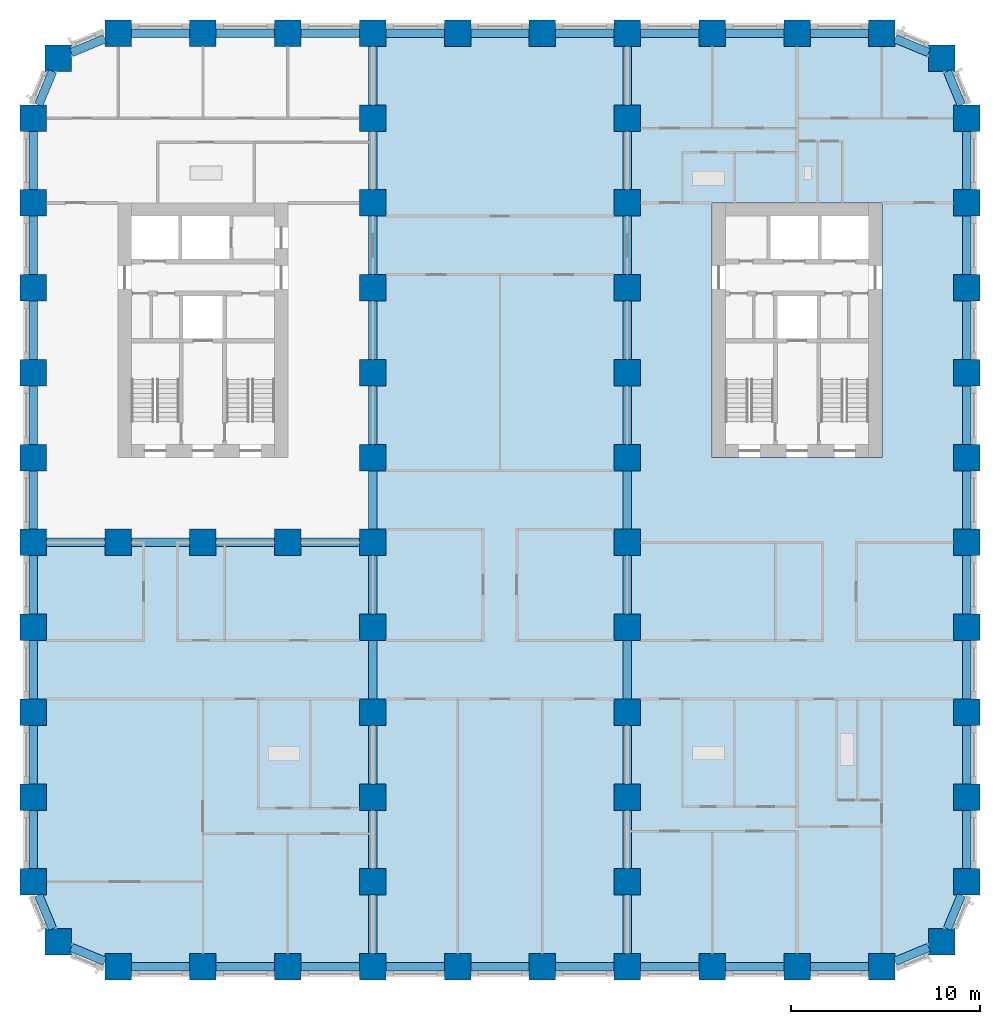
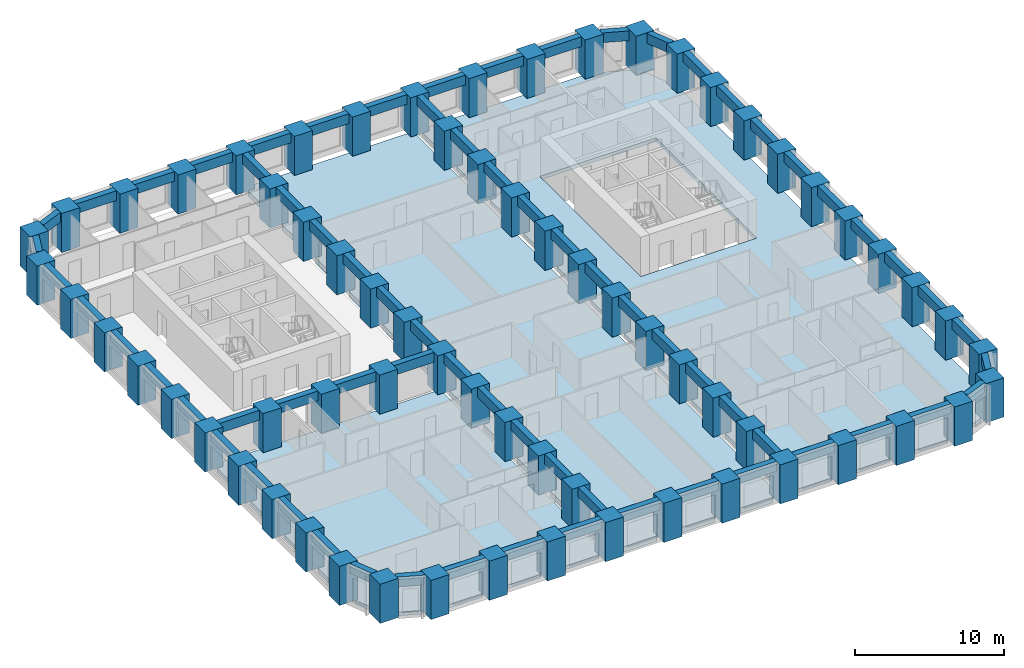
# One storey, part 1 of 12: 70 beams, 67 columns, 3 slabs.
"""IFC4 building model written with IfcOpenShell, lengths in metres."""

from ifc_helpers import new_model, si_unit, direction, frame, origin, origin_2d, place, context, subcontext, project, spatial, polyline, rectangle, outline, extrude, material, layer, layer_set, material_profile, profile_set, type_object, element, save


model = new_model("IFC4")

# Units and contexts
model_context = context("Model", 3, precision=1e-05, world=origin(), true_north=direction((0.0, 1.0)))
body_context = subcontext(model_context, "Body", "Model", "MODEL_VIEW")
ifc_project = project(units=[si_unit("LENGTHUNIT", "METRE"), si_unit("AREAUNIT", "SQUARE_METRE"), si_unit("VOLUMEUNIT", "CUBIC_METRE"), si_unit("PLANEANGLEUNIT", "RADIAN"), si_unit("MASSUNIT", "GRAM", prefix="KILO")], contexts=[model_context])

# Site, building, storey
site_placement = place(None, origin())
site = spatial("IfcSite", under=ifc_project, at=site_placement, CompositionType="ELEMENT")
building_placement = place(site_placement, origin())
building = spatial("IfcBuilding", under=site, at=building_placement, Name="Girih Gate Residences", CompositionType="ELEMENT")
storey_placement = place(building_placement, frame((0.0, 0.0, 30.39990234375)))
storey = spatial("IfcBuildingStorey", under=building, at=storey_placement, Name="L06", CompositionType="ELEMENT", Elevation=30.39990234375)

# Columns
ifc_material_1 = material(Name="Concrete C80/95", Category="concrete")
ifc_material_profile_1 = material_profile(ifc_material_1, rectangle(XDim=1.39990234375, YDim=1.39990234375, at=origin_2d()))
ifc_profile_set_1 = profile_set([ifc_material_profile_1], Name="Concrete C80/95")
column_type = type_object("IfcColumnType", Name="Pier RC 1400x1400 Concrete C80/95", PredefinedType="COLUMN", material=ifc_profile_set_1)
for number, where, z_axis, x_axis, name in (
    (1, (4.5, 0.0, 0.0), (0.0, 0.0, 1.0), (1.0, 0.0, 0.0), "Pier P2A L06"),
    (2, (9.0, 0.0, 0.0), (0.0, 0.0, 1.0), (1.0, 0.0, 0.0), "Pier P3A L06"),
    (3, (13.5, 0.0, 0.0), (0.0, 0.0, 1.0), (1.0, 0.0, 0.0), "Pier P4A L06"),
    (4, (18.0, 0.0, 0.0), (0.0, 0.0, 1.0), (1.0, 0.0, 0.0), "Pier P5A L06"),
    (5, (22.5, 0.0, 0.0), (0.0, 0.0, 1.0), (1.0, 0.0, 0.0), "Pier P6A L06"),
    (6, (27.0, 0.0, 0.0), (0.0, 0.0, 1.0), (1.0, 0.0, 0.0), "Pier P7A L06"),
    (7, (31.5, 0.0, 0.0), (0.0, 0.0, 1.0), (1.0, 0.0, 0.0), "Pier P8A L06"),
    (8, (36.0, 0.0, 0.0), (0.0, 0.0, 1.0), (1.0, 0.0, 0.0), "Pier P9A L06"),
    (9, (40.5, 0.0, 0.0), (0.0, 0.0, 1.0), (1.0, 0.0, 0.0), "Pier P10A L06"),
    (10, (45.0, 0.0, 0.0), (0.0, 0.0, 1.0), (1.0, 0.0, 0.0), "Pier P11A L06"),
    (11, (1.318115234375, 1.318115234375, 0.0), (0.0, 0.0, 1.0), (1.0, 0.0, 0.0), "Pier P1ANE L06"),
    (12, (48.181884765625, 1.318115234375, 0.0), (0.0, 0.0, 1.0), (1.0, 0.0, 0.0), "Pier P12ANW L06"),
    (13, (0.0, 4.5, 0.0), (0.0, 0.0, 1.0), (1.0, 0.0, 0.0), "Pier P1B L06"),
    (14, (18.0, 4.5, 0.0), (0.0, 0.0, 1.0), (1.0, 0.0, 0.0), "Pier P5B L06"),
    (15, (31.5, 4.5, 0.0), (0.0, 0.0, 1.0), (1.0, 0.0, 0.0), "Pier P8B L06"),
    (16, (49.5, 4.5, 0.0), (0.0, 0.0, 1.0), (1.0, 0.0, 0.0), "Pier P12B L06"),
    (17, (0.0, 9.0, 0.0), (0.0, 0.0, 1.0), (1.0, 0.0, 0.0), "Pier P1C L06"),
    (18, (18.0, 9.0, 0.0), (0.0, 0.0, 1.0), (1.0, 0.0, 0.0), "Pier P5C L06"),
    (19, (31.5, 9.0, 0.0), (0.0, 0.0, 1.0), (1.0, 0.0, 0.0), "Pier P8C L06"),
    (20, (49.5, 9.0, 0.0), (0.0, 0.0, 1.0), (1.0, 0.0, 0.0), "Pier P12C L06"),
    (21, (0.0, 13.5, 0.0), (0.0, 0.0, 1.0), (1.0, 0.0, 0.0), "Pier P1D L06"),
    (22, (18.0, 13.5, 0.0), (0.0, 0.0, 1.0), (1.0, 0.0, 0.0), "Pier P5D L06"),
    (23, (31.5, 13.5, 0.0), (0.0, 0.0, 1.0), (1.0, 0.0, 0.0), "Pier P8D L06"),
    (24, (49.5, 13.5, 0.0), (0.0, 0.0, 1.0), (1.0, 0.0, 0.0), "Pier P12D L06"),
    (25, (0.0, 18.0, 0.0), (0.0, 0.0, 1.0), (1.0, 0.0, 0.0), "Pier P1E L06"),
    (26, (18.0, 18.0, 0.0), (0.0, 0.0, 1.0), (1.0, 0.0, 0.0), "Pier P5E L06"),
    (27, (31.5, 18.0, 0.0), (0.0, 0.0, 1.0), (1.0, 0.0, 0.0), "Pier P8E L06"),
    (28, (49.5, 18.0, 0.0), (0.0, 0.0, 1.0), (1.0, 0.0, 0.0), "Pier P12E L06"),
    (29, (0.0, 22.5, 0.0), (0.0, 0.0, 1.0), (1.0, 0.0, 0.0), "Pier P1F L06"),
    (30, (4.5, 22.5, 0.0), (0.0, 0.0, 1.0), (1.0, 0.0, 0.0), "Pier P2F L06"),
    (31, (9.0, 22.5, 0.0), (0.0, 0.0, 1.0), (1.0, 0.0, 0.0), "Pier P3F L06"),
    (32, (13.5, 22.5, 0.0), (0.0, 0.0, 1.0), (1.0, 0.0, 0.0), "Pier P4F L06"),
    (33, (18.0, 22.5, 0.0), (0.0, 0.0, 1.0), (1.0, 0.0, 0.0), "Pier P5F L06"),
    (34, (31.5, 22.5, 0.0), (0.0, 0.0, 1.0), (1.0, 0.0, 0.0), "Pier P8F L06"),
    (35, (49.5, 22.5, 0.0), (0.0, 0.0, 1.0), (1.0, 0.0, 0.0), "Pier P12F L06"),
    (36, (0.0, 27.0, 0.0), (0.0, 0.0, 1.0), (1.0, 0.0, 0.0), "Pier P1G L06"),
    (37, (18.0, 27.0, 0.0), (0.0, 0.0, 1.0), (1.0, 0.0, 0.0), "Pier P5G L06"),
    (38, (31.5, 27.0, 0.0), (0.0, 0.0, 1.0), (1.0, 0.0, 0.0), "Pier P8G L06"),
    (39, (49.5, 27.0, 0.0), (0.0, 0.0, 1.0), (1.0, 0.0, 0.0), "Pier P12G L06"),
    (40, (0.0, 31.5, 0.0), (0.0, 0.0, 1.0), (1.0, 0.0, 0.0), "Pier P1H L06"),
    (41, (18.0, 31.5, 0.0), (0.0, 0.0, 1.0), (1.0, 0.0, 0.0), "Pier P5H L06"),
    (42, (31.5, 31.5, 0.0), (0.0, 0.0, 1.0), (1.0, 0.0, 0.0), "Pier P8H L06"),
    (43, (49.5, 31.5, 0.0), (0.0, 0.0, 1.0), (1.0, 0.0, 0.0), "Pier P12H L06"),
    (44, (0.0, 36.0, 0.0), (0.0, 0.0, 1.0), (1.0, 0.0, 0.0), "Pier P1I L06"),
    (45, (18.0, 36.0, 0.0), (0.0, 0.0, 1.0), (1.0, 0.0, 0.0), "Pier P5I L06"),
    (46, (31.5, 36.0, 0.0), (0.0, 0.0, 1.0), (1.0, 0.0, 0.0), "Pier P8I L06"),
    (47, (49.5, 36.0, 0.0), (0.0, 0.0, 1.0), (1.0, 0.0, 0.0), "Pier P12I L06"),
    (48, (0.0, 40.5, 0.0), (0.0, 0.0, 1.0), (1.0, 0.0, 0.0), "Pier P1J L06"),
    (49, (18.0, 40.5, 0.0), (0.0, 0.0, 1.0), (1.0, 0.0, 0.0), "Pier P5J L06"),
    (50, (31.5, 40.5, 0.0), (0.0, 0.0, 1.0), (1.0, 0.0, 0.0), "Pier P8J L06"),
    (51, (49.5, 40.5, 0.0), (0.0, 0.0, 1.0), (1.0, 0.0, 0.0), "Pier P12J L06"),
    (52, (0.0, 45.0, 0.0), (0.0, 0.0, 1.0), (1.0, 0.0, 0.0), "Pier P1K L06"),
    (53, (18.0, 45.0, 0.0), (0.0, 0.0, 1.0), (1.0, 0.0, 0.0), "Pier P5K L06"),
    (54, (31.5, 45.0, 0.0), (0.0, 0.0, 1.0), (1.0, 0.0, 0.0), "Pier P8K L06"),
    (55, (49.5, 45.0, 0.0), (0.0, 0.0, 1.0), (1.0, 0.0, 0.0), "Pier P12K L06"),
    (56, (1.318115234375, 48.181884765625, 0.0), (0.0, 0.0, 1.0), (1.0, 0.0, 0.0), "Pier P1LSE L06"),
    (57, (48.181884765625, 48.181884765625, 0.0), (0.0, 0.0, 1.0), (1.0, 0.0, 0.0), "Pier P12LSW L06"),
    (58, (4.5, 49.5, 0.0), (0.0, 0.0, 1.0), (1.0, 0.0, 0.0), "Pier P2L L06"),
    (59, (9.0, 49.5, 0.0), (0.0, 0.0, 1.0), (1.0, 0.0, 0.0), "Pier P3L L06"),
    (60, (13.5, 49.5, 0.0), (0.0, 0.0, 1.0), (1.0, 0.0, 0.0), "Pier P4L L06"),
    (61, (18.0, 49.5, 0.0), (0.0, 0.0, 1.0), (1.0, 0.0, 0.0), "Pier P5L L06"),
    (62, (22.5, 49.5, 0.0), (0.0, 0.0, 1.0), (1.0, 0.0, 0.0), "Pier P6L L06"),
    (63, (27.0, 49.5, 0.0), (0.0, 0.0, 1.0), (1.0, 0.0, 0.0), "Pier P7L L06"),
    (64, (31.5, 49.5, 0.0), (0.0, 0.0, 1.0), (1.0, 0.0, 0.0), "Pier P8L L06"),
    (65, (36.0, 49.5, 0.0), (0.0, 0.0, 1.0), (1.0, 0.0, 0.0), "Pier P9L L06"),
    (66, (40.5, 49.5, 0.0), (0.0, 0.0, 1.0), (1.0, 0.0, 0.0), "Pier P10L L06"),
    (67, (45.0, 49.5, 0.0), (0.0, 0.0, 1.0), (1.0, 0.0, 0.0), "Pier P11L L06"),
):
    element("IfcColumn", number, at=place(storey_placement, frame(where, z_axis=z_axis, x_axis=x_axis)), inside=storey, type_object=column_type, Name=name, PredefinedType="COLUMN", context=body_context, shape_type="SweptSolid", body=[
        extrude(rectangle(XDim=1.39990234375, YDim=1.39990234375, at=origin_2d()), origin(), (0.0, 0.0, 1.0), 3.2001953125),
    ])

# Beams
ifc_material_2 = material(Name="Concrete C60/75", Category="concrete")
ifc_material_profile_2 = material_profile(ifc_material_2, rectangle(XDim=0.449951171875, YDim=0.800048828125, at=origin_2d()))
ifc_profile_set_2 = profile_set([ifc_material_profile_2], Name="Concrete C60/75")
beam_type = type_object("IfcBeamType", Name="Spandrel girder RC 450x800 Concrete C60/75", PredefinedType="BEAM", material=ifc_profile_set_2)
for number, where, z_axis, x_axis, name in (
    (68, (0.2900390625, 3.800048828125, 2.800048828125), (0.382646180293, -0.923894961945, 0.0), (0.923894961945, 0.382646180293, 0.0), "Spandrel girder SP-P1B-P1ANE L06"),
    (69, (2.01806640625, 1.028076171875, 2.800048828125), (0.923894961945, -0.382646180293, 0.0), (0.382646180293, 0.923894961945, 0.0), "Spandrel girder SP-P1ANE-P2A L06"),
):
    element("IfcBeam", number, at=place(storey_placement, frame(where, z_axis=z_axis, x_axis=x_axis)), inside=storey, type_object=beam_type, Name=name, PredefinedType="BEAM", context=body_context, shape_type="SweptSolid", body=[
        extrude(rectangle(XDim=0.449951171875, YDim=0.800048828125, at=origin_2d()), origin(), (0.0, 0.0, 1.0), 1.9287109375),
    ])
for number, where, z_axis, x_axis, name in (
    (70, (5.199951171875, 0.0, 2.800048828125), (1.0, 0.0, 0.0), (0.0, 1.0, 0.0), "Spandrel girder SP-P2A-P3A L06"),
    (71, (9.699951171875, 0.0, 2.800048828125), (1.0, 0.0, 0.0), (0.0, 1.0, 0.0), "Spandrel girder SP-P3A-P4A L06"),
    (72, (14.199951171875, 0.0, 2.800048828125), (1.0, 0.0, 0.0), (0.0, 1.0, 0.0), "Spandrel girder SP-P4A-P5A L06"),
    (73, (18.699951171875, 0.0, 2.800048828125), (1.0, 0.0, 0.0), (0.0, 1.0, 0.0), "Spandrel girder SP-P5A-P6A L06"),
    (74, (23.199951171875, 0.0, 2.800048828125), (1.0, 0.0, 0.0), (0.0, 1.0, 0.0), "Spandrel girder SP-P6A-P7A L06"),
    (75, (27.699951171875, 0.0, 2.800048828125), (1.0, 0.0, 0.0), (0.0, 1.0, 0.0), "Spandrel girder SP-P7A-P8A L06"),
    (76, (32.199951171875, 0.0, 2.800048828125), (1.0, 0.0, 0.0), (0.0, 1.0, 0.0), "Spandrel girder SP-P8A-P9A L06"),
    (77, (36.699951171875, 0.0, 2.800048828125), (1.0, 0.0, 0.0), (0.0, 1.0, 0.0), "Spandrel girder SP-P9A-P10A L06"),
    (78, (41.199951171875, 0.0, 2.800048828125), (1.0, 0.0, 0.0), (0.0, 1.0, 0.0), "Spandrel girder SP-P10A-P11A L06"),
):
    element("IfcBeam", number, at=place(storey_placement, frame(where, z_axis=z_axis, x_axis=x_axis)), inside=storey, type_object=beam_type, Name=name, PredefinedType="BEAM", context=body_context, shape_type="SweptSolid", body=[
        extrude(rectangle(XDim=0.449951171875, YDim=0.800048828125, at=origin_2d()), origin(), (0.0, 0.0, 1.0), 3.10009765625),
    ])
for number, where, z_axis, x_axis, name in (
    (79, (45.699951171875, 0.2900390625, 2.800048828125), (0.923894961945, 0.382646180293, 0.0), (-0.382646180293, 0.923894961945, 0.0), "Spandrel girder SP-P11A-P12ANW L06"),
    (80, (48.471923828125, 2.01806640625, 2.800048828125), (0.382646180293, 0.923894961945, 0.0), (-0.923894961945, 0.382646180293, 0.0), "Spandrel girder SP-P12ANW-P12B L06"),
):
    element("IfcBeam", number, at=place(storey_placement, frame(where, z_axis=z_axis, x_axis=x_axis)), inside=storey, type_object=beam_type, Name=name, PredefinedType="BEAM", context=body_context, shape_type="SweptSolid", body=[
        extrude(rectangle(XDim=0.449951171875, YDim=0.800048828125, at=origin_2d()), origin(), (0.0, 0.0, 1.0), 1.9287109375),
    ])
for number, where, z_axis, x_axis, name in (
    (81, (49.5, 5.199951171875, 2.800048828125), (0.0, 1.0, 0.0), (-1.0, 0.0, 0.0), "Spandrel girder SP-P12B-P12C L06"),
    (82, (49.5, 9.699951171875, 2.800048828125), (0.0, 1.0, 0.0), (-1.0, 0.0, 0.0), "Spandrel girder SP-P12C-P12D L06"),
    (83, (49.5, 14.199951171875, 2.800048828125), (0.0, 1.0, 0.0), (-1.0, 0.0, 0.0), "Spandrel girder SP-P12D-P12E L06"),
    (84, (49.5, 18.699951171875, 2.800048828125), (0.0, 1.0, 0.0), (-1.0, 0.0, 0.0), "Spandrel girder SP-P12E-P12F L06"),
    (85, (49.5, 23.199951171875, 2.800048828125), (0.0, 1.0, 0.0), (-1.0, 0.0, 0.0), "Spandrel girder SP-P12F-P12G L06"),
    (86, (49.5, 27.699951171875, 2.800048828125), (0.0, 1.0, 0.0), (-1.0, 0.0, 0.0), "Spandrel girder SP-P12G-P12H L06"),
    (87, (49.5, 32.199951171875, 2.800048828125), (0.0, 1.0, 0.0), (-1.0, 0.0, 0.0), "Spandrel girder SP-P12H-P12I L06"),
    (88, (49.5, 36.699951171875, 2.800048828125), (0.0, 1.0, 0.0), (-1.0, 0.0, 0.0), "Spandrel girder SP-P12I-P12J L06"),
    (89, (49.5, 41.199951171875, 2.800048828125), (0.0, 1.0, 0.0), (-1.0, 0.0, 0.0), "Spandrel girder SP-P12J-P12K L06"),
):
    element("IfcBeam", number, at=place(storey_placement, frame(where, z_axis=z_axis, x_axis=x_axis)), inside=storey, type_object=beam_type, Name=name, PredefinedType="BEAM", context=body_context, shape_type="SweptSolid", body=[
        extrude(rectangle(XDim=0.449951171875, YDim=0.800048828125, at=origin_2d()), origin(), (0.0, 0.0, 1.0), 3.10009765625),
    ])
for number, where, z_axis, x_axis, name in (
    (90, (49.2099609375, 45.699951171875, 2.800048828125), (-0.382646180293, 0.923894961945, 0.0), (-0.923894961945, -0.382646180293, 0.0), "Spandrel girder SP-P12K-P12LSW L06"),
    (91, (47.48193359375, 48.471923828125, 2.800048828125), (-0.923894961945, 0.382646180293, 0.0), (-0.382646180293, -0.923894961945, 0.0), "Spandrel girder SP-P12LSW-P11L L06"),
):
    element("IfcBeam", number, at=place(storey_placement, frame(where, z_axis=z_axis, x_axis=x_axis)), inside=storey, type_object=beam_type, Name=name, PredefinedType="BEAM", context=body_context, shape_type="SweptSolid", body=[
        extrude(rectangle(XDim=0.449951171875, YDim=0.800048828125, at=origin_2d()), origin(), (0.0, 0.0, 1.0), 1.9287109375),
    ])
for number, where, z_axis, x_axis, name in (
    (92, (44.300048828125, 49.5, 2.800048828125), (-1.0, 0.0, 0.0), (0.0, -1.0, 0.0), "Spandrel girder SP-P11L-P10L L06"),
    (93, (39.800048828125, 49.5, 2.800048828125), (-1.0, 0.0, 0.0), (0.0, -1.0, 0.0), "Spandrel girder SP-P10L-P9L L06"),
    (94, (35.300048828125, 49.5, 2.800048828125), (-1.0, 0.0, 0.0), (0.0, -1.0, 0.0), "Spandrel girder SP-P9L-P8L L06"),
    (95, (30.800048828125, 49.5, 2.800048828125), (-1.0, 0.0, 0.0), (0.0, -1.0, 0.0), "Spandrel girder SP-P8L-P7L L06"),
    (96, (26.300048828125, 49.5, 2.800048828125), (-1.0, 0.0, 0.0), (0.0, -1.0, 0.0), "Spandrel girder SP-P7L-P6L L06"),
    (97, (21.800048828125, 49.5, 2.800048828125), (-1.0, 0.0, 0.0), (0.0, -1.0, 0.0), "Spandrel girder SP-P6L-P5L L06"),
    (98, (17.300048828125, 49.5, 2.800048828125), (-1.0, 0.0, 0.0), (0.0, -1.0, 0.0), "Spandrel girder SP-P5L-P4L L06"),
    (99, (12.800048828125, 49.5, 2.800048828125), (-1.0, 0.0, 0.0), (0.0, -1.0, 0.0), "Spandrel girder SP-P4L-P3L L06"),
    (100, (8.300048828125, 49.5, 2.800048828125), (-1.0, 0.0, 0.0), (0.0, -1.0, 0.0), "Spandrel girder SP-P3L-P2L L06"),
):
    element("IfcBeam", number, at=place(storey_placement, frame(where, z_axis=z_axis, x_axis=x_axis)), inside=storey, type_object=beam_type, Name=name, PredefinedType="BEAM", context=body_context, shape_type="SweptSolid", body=[
        extrude(rectangle(XDim=0.449951171875, YDim=0.800048828125, at=origin_2d()), origin(), (0.0, 0.0, 1.0), 3.10009765625),
    ])
for number, where, z_axis, x_axis, name in (
    (101, (3.800048828125, 49.2099609375, 2.800048828125), (-0.923894961945, -0.382646180293, 0.0), (0.382646180293, -0.923894961945, 0.0), "Spandrel girder SP-P2L-P1LSE L06"),
    (102, (1.028076171875, 47.48193359375, 2.800048828125), (-0.382646180293, -0.923894961945, 0.0), (0.923894961945, -0.382646180293, 0.0), "Spandrel girder SP-P1LSE-P1K L06"),
):
    element("IfcBeam", number, at=place(storey_placement, frame(where, z_axis=z_axis, x_axis=x_axis)), inside=storey, type_object=beam_type, Name=name, PredefinedType="BEAM", context=body_context, shape_type="SweptSolid", body=[
        extrude(rectangle(XDim=0.449951171875, YDim=0.800048828125, at=origin_2d()), origin(), (0.0, 0.0, 1.0), 1.9287109375),
    ])
for number, where, z_axis, x_axis, name in (
    (103, (0.0, 44.300048828125, 2.800048828125), (0.0, -1.0, 0.0), (1.0, 0.0, 0.0), "Spandrel girder SP-P1K-P1J L06"),
    (104, (0.0, 39.800048828125, 2.800048828125), (0.0, -1.0, 0.0), (1.0, 0.0, 0.0), "Spandrel girder SP-P1J-P1I L06"),
    (105, (0.0, 35.300048828125, 2.800048828125), (0.0, -1.0, 0.0), (1.0, 0.0, 0.0), "Spandrel girder SP-P1I-P1H L06"),
    (106, (0.0, 30.800048828125, 2.800048828125), (0.0, -1.0, 0.0), (1.0, 0.0, 0.0), "Spandrel girder SP-P1H-P1G L06"),
    (107, (0.0, 26.300048828125, 2.800048828125), (0.0, -1.0, 0.0), (1.0, 0.0, 0.0), "Spandrel girder SP-P1G-P1F L06"),
    (108, (0.0, 21.800048828125, 2.800048828125), (0.0, -1.0, 0.0), (1.0, 0.0, 0.0), "Spandrel girder SP-P1F-P1E L06"),
    (109, (0.0, 17.300048828125, 2.800048828125), (0.0, -1.0, 0.0), (1.0, 0.0, 0.0), "Spandrel girder SP-P1E-P1D L06"),
    (110, (0.0, 12.800048828125, 2.800048828125), (0.0, -1.0, 0.0), (1.0, 0.0, 0.0), "Spandrel girder SP-P1D-P1C L06"),
    (111, (0.0, 8.300048828125, 2.800048828125), (0.0, -1.0, 0.0), (1.0, 0.0, 0.0), "Spandrel girder SP-P1C-P1B L06"),
    (112, (18.0, 0.699951171875, 2.800048828125), (0.0, 1.0, 0.0), (-1.0, 0.0, 0.0), "Spandrel girder SP-P5A-P5B L06"),
    (113, (18.0, 5.199951171875, 2.800048828125), (0.0, 1.0, 0.0), (-1.0, 0.0, 0.0), "Spandrel girder SP-P5B-P5C L06"),
    (114, (18.0, 9.699951171875, 2.800048828125), (0.0, 1.0, 0.0), (-1.0, 0.0, 0.0), "Spandrel girder SP-P5C-P5D L06"),
    (115, (18.0, 14.199951171875, 2.800048828125), (0.0, 1.0, 0.0), (-1.0, 0.0, 0.0), "Spandrel girder SP-P5D-P5E L06"),
    (116, (18.0, 18.699951171875, 2.800048828125), (0.0, 1.0, 0.0), (-1.0, 0.0, 0.0), "Spandrel girder SP-P5E-P5F L06"),
    (117, (18.0, 23.199951171875, 2.800048828125), (0.0, 1.0, 0.0), (-1.0, 0.0, 0.0), "Spandrel girder SP-P5F-P5G L06"),
    (118, (18.0, 27.699951171875, 2.800048828125), (0.0, 1.0, 0.0), (-1.0, 0.0, 0.0), "Spandrel girder SP-P5G-P5H L06"),
    (119, (18.0, 32.199951171875, 2.800048828125), (0.0, 1.0, 0.0), (-1.0, 0.0, 0.0), "Spandrel girder SP-P5H-P5I L06"),
    (120, (18.0, 36.699951171875, 2.800048828125), (0.0, 1.0, 0.0), (-1.0, 0.0, 0.0), "Spandrel girder SP-P5I-P5J L06"),
    (121, (18.0, 41.199951171875, 2.800048828125), (0.0, 1.0, 0.0), (-1.0, 0.0, 0.0), "Spandrel girder SP-P5J-P5K L06"),
    (122, (18.0, 45.699951171875, 2.800048828125), (0.0, 1.0, 0.0), (-1.0, 0.0, 0.0), "Spandrel girder SP-P5K-P5L L06"),
    (123, (31.5, 0.699951171875, 2.800048828125), (0.0, 1.0, 0.0), (-1.0, 0.0, 0.0), "Spandrel girder SP-P8A-P8B L06"),
    (124, (31.5, 5.199951171875, 2.800048828125), (0.0, 1.0, 0.0), (-1.0, 0.0, 0.0), "Spandrel girder SP-P8B-P8C L06"),
    (125, (31.5, 9.699951171875, 2.800048828125), (0.0, 1.0, 0.0), (-1.0, 0.0, 0.0), "Spandrel girder SP-P8C-P8D L06"),
    (126, (31.5, 14.199951171875, 2.800048828125), (0.0, 1.0, 0.0), (-1.0, 0.0, 0.0), "Spandrel girder SP-P8D-P8E L06"),
    (127, (31.5, 18.699951171875, 2.800048828125), (0.0, 1.0, 0.0), (-1.0, 0.0, 0.0), "Spandrel girder SP-P8E-P8F L06"),
    (128, (31.5, 23.199951171875, 2.800048828125), (0.0, 1.0, 0.0), (-1.0, 0.0, 0.0), "Spandrel girder SP-P8F-P8G L06"),
    (129, (31.5, 27.699951171875, 2.800048828125), (0.0, 1.0, 0.0), (-1.0, 0.0, 0.0), "Spandrel girder SP-P8G-P8H L06"),
    (130, (31.5, 32.199951171875, 2.800048828125), (0.0, 1.0, 0.0), (-1.0, 0.0, 0.0), "Spandrel girder SP-P8H-P8I L06"),
    (131, (31.5, 36.699951171875, 2.800048828125), (0.0, 1.0, 0.0), (-1.0, 0.0, 0.0), "Spandrel girder SP-P8I-P8J L06"),
    (132, (31.5, 41.199951171875, 2.800048828125), (0.0, 1.0, 0.0), (-1.0, 0.0, 0.0), "Spandrel girder SP-P8J-P8K L06"),
    (133, (31.5, 45.699951171875, 2.800048828125), (0.0, 1.0, 0.0), (-1.0, 0.0, 0.0), "Spandrel girder SP-P8K-P8L L06"),
    (134, (0.699951171875, 22.5, 2.800048828125), (1.0, 0.0, 0.0), (0.0, 1.0, 0.0), "Spandrel girder SP-P1F-P2F L06"),
    (135, (5.199951171875, 22.5, 2.800048828125), (1.0, 0.0, 0.0), (0.0, 1.0, 0.0), "Spandrel girder SP-P2F-P3F L06"),
    (136, (9.699951171875, 22.5, 2.800048828125), (1.0, 0.0, 0.0), (0.0, 1.0, 0.0), "Spandrel girder SP-P3F-P4F L06"),
    (137, (14.199951171875, 22.5, 2.800048828125), (1.0, 0.0, 0.0), (0.0, 1.0, 0.0), "Spandrel girder SP-P4F-P5F L06"),
):
    element("IfcBeam", number, at=place(storey_placement, frame(where, z_axis=z_axis, x_axis=x_axis)), inside=storey, type_object=beam_type, Name=name, PredefinedType="BEAM", context=body_context, shape_type="SweptSolid", body=[
        extrude(rectangle(XDim=0.449951171875, YDim=0.800048828125, at=origin_2d()), origin(), (0.0, 0.0, 1.0), 3.10009765625),
    ])

# Slabs
ifc_material_3 = material(Name="Concrete C40/50", Category="concrete")
ifc_layer_1 = layer(ifc_material_3, 0.300048828125)
ifc_layer_set_1 = layer_set([ifc_layer_1], Name="Floor slab PT 300 Concrete C40/50")
slab_type_1 = type_object("IfcSlabType", Name="Floor slab PT 300 Concrete C40/50", PredefinedType="FLOOR", material=ifc_layer_set_1)
slab_1_placement = place(storey_placement, frame((0.0, 0.0, -0.2998046875)))
element("IfcSlab", 138, at=slab_1_placement, inside=storey, type_object=slab_type_1, Name="Floor slab L06 0", PredefinedType="FLOOR", context=body_context, shape_type="SweptSolid", body=[
    extrude(outline(polyline([(0.22509765625, 8.300048828125), (0.22509765625, 5.199951171875), (0.699951171875, 5.199951171875), (0.699951171875, 3.800048828125), (0.533447265625, 3.800048828125), (1.271728515625, 2.01806640625), (2.01806640625, 2.01806640625), (2.01806640625, 1.271728515625), (3.800048828125, 0.533447265625), (3.800048828125, 0.699951171875), (5.199951171875, 0.699951171875), (5.199951171875, 0.22509765625), (8.300048828125, 0.22509765625), (8.300048828125, 0.699951171875), (9.699951171875, 0.699951171875), (9.699951171875, 0.22509765625), (12.800048828125, 0.22509765625), (12.800048828125, 0.699951171875), (14.199951171875, 0.699951171875), (14.199951171875, 0.22509765625), (17.300048828125, 0.22509765625), (17.300048828125, 0.699951171875), (17.77490234375, 0.699951171875), (17.77490234375, 3.800048828125), (17.300048828125, 3.800048828125), (17.300048828125, 5.199951171875), (17.77490234375, 5.199951171875), (17.77490234375, 8.300048828125), (17.300048828125, 8.300048828125), (17.300048828125, 9.699951171875), (17.77490234375, 9.699951171875), (17.77490234375, 12.800048828125), (17.300048828125, 12.800048828125), (17.300048828125, 14.199951171875), (17.77490234375, 14.199951171875), (17.77490234375, 17.300048828125), (17.300048828125, 17.300048828125), (17.300048828125, 18.699951171875), (17.77490234375, 18.699951171875), (17.77490234375, 21.800048828125), (17.300048828125, 21.800048828125), (17.300048828125, 22.27490234375), (14.199951171875, 22.27490234375), (14.199951171875, 21.800048828125), (12.800048828125, 21.800048828125), (12.800048828125, 22.27490234375), (9.699951171875, 22.27490234375), (9.699951171875, 21.800048828125), (8.300048828125, 21.800048828125), (8.300048828125, 22.27490234375), (5.199951171875, 22.27490234375), (5.199951171875, 21.800048828125), (3.800048828125, 21.800048828125), (3.800048828125, 22.27490234375), (0.699951171875, 22.27490234375), (0.699951171875, 21.800048828125), (0.22509765625, 21.800048828125), (0.22509765625, 18.699951171875), (0.699951171875, 18.699951171875), (0.699951171875, 17.300048828125), (0.22509765625, 17.300048828125), (0.22509765625, 14.199951171875), (0.699951171875, 14.199951171875), (0.699951171875, 12.800048828125), (0.22509765625, 12.800048828125), (0.22509765625, 9.699951171875), (0.699951171875, 9.699951171875), (0.699951171875, 8.300048828125), (0.22509765625, 8.300048828125)])), origin(), (0.0, 0.0, 1.0), 0.2998046875),
])
slab_2_placement = place(storey_placement, frame((0.0, 0.0, -0.2998046875)))
element("IfcSlab", 139, at=slab_2_placement, inside=storey, type_object=slab_type_1, Name="Floor slab L06 1", PredefinedType="FLOOR", context=body_context, shape_type="SweptSolid", body=[
    extrude(outline(polyline([(35.300048828125, 49.27490234375), (32.199951171875, 49.27490234375), (32.199951171875, 48.800048828125), (31.72509765625, 48.800048828125), (31.72509765625, 45.699951171875), (32.199951171875, 45.699951171875), (32.199951171875, 44.300048828125), (31.72509765625, 44.300048828125), (31.72509765625, 41.199951171875), (32.199951171875, 41.199951171875), (32.199951171875, 39.800048828125), (31.72509765625, 39.800048828125), (31.72509765625, 36.699951171875), (32.199951171875, 36.699951171875), (32.199951171875, 35.300048828125), (31.72509765625, 35.300048828125), (31.72509765625, 32.199951171875), (32.199951171875, 32.199951171875), (32.199951171875, 30.800048828125), (31.72509765625, 30.800048828125), (31.72509765625, 27.699951171875), (32.199951171875, 27.699951171875), (32.199951171875, 26.300048828125), (31.72509765625, 26.300048828125), (31.72509765625, 23.199951171875), (32.199951171875, 23.199951171875), (32.199951171875, 21.800048828125), (31.72509765625, 21.800048828125), (31.72509765625, 18.699951171875), (32.199951171875, 18.699951171875), (32.199951171875, 17.300048828125), (31.72509765625, 17.300048828125), (31.72509765625, 14.199951171875), (32.199951171875, 14.199951171875), (32.199951171875, 12.800048828125), (31.72509765625, 12.800048828125), (31.72509765625, 9.699951171875), (32.199951171875, 9.699951171875), (32.199951171875, 8.300048828125), (31.72509765625, 8.300048828125), (31.72509765625, 5.199951171875), (32.199951171875, 5.199951171875), (32.199951171875, 3.800048828125), (31.72509765625, 3.800048828125), (31.72509765625, 0.699951171875), (32.199951171875, 0.699951171875), (32.199951171875, 0.22509765625), (35.300048828125, 0.22509765625), (35.300048828125, 0.699951171875), (36.699951171875, 0.699951171875), (36.699951171875, 0.22509765625), (39.800048828125, 0.22509765625), (39.800048828125, 0.699951171875), (41.199951171875, 0.699951171875), (41.199951171875, 0.22509765625), (44.300048828125, 0.22509765625), (44.300048828125, 0.699951171875), (45.699951171875, 0.699951171875), (45.699951171875, 0.533447265625), (47.48193359375, 1.271728515625), (47.48193359375, 2.01806640625), (48.228271484375, 2.01806640625), (48.966552734375, 3.800048828125), (48.800048828125, 3.800048828125), (48.800048828125, 5.199951171875), (49.27490234375, 5.199951171875), (49.27490234375, 8.300048828125), (48.800048828125, 8.300048828125), (48.800048828125, 9.699951171875), (49.27490234375, 9.699951171875), (49.27490234375, 12.800048828125), (48.800048828125, 12.800048828125), (48.800048828125, 14.199951171875), (49.27490234375, 14.199951171875), (49.27490234375, 17.300048828125), (48.800048828125, 17.300048828125), (48.800048828125, 18.699951171875), (49.27490234375, 18.699951171875), (49.27490234375, 21.800048828125), (48.800048828125, 21.800048828125), (48.800048828125, 23.199951171875), (49.27490234375, 23.199951171875), (49.27490234375, 26.300048828125), (48.800048828125, 26.300048828125), (48.800048828125, 27.699951171875), (49.27490234375, 27.699951171875), (49.27490234375, 30.800048828125), (48.800048828125, 30.800048828125), (48.800048828125, 32.199951171875), (49.27490234375, 32.199951171875), (49.27490234375, 35.300048828125), (48.800048828125, 35.300048828125), (48.800048828125, 36.699951171875), (49.27490234375, 36.699951171875), (49.27490234375, 39.800048828125), (48.800048828125, 39.800048828125), (48.800048828125, 41.199951171875), (49.27490234375, 41.199951171875), (49.27490234375, 44.300048828125), (48.800048828125, 44.300048828125), (48.800048828125, 45.699951171875), (48.966552734375, 45.699951171875), (48.228271484375, 47.48193359375), (47.48193359375, 47.48193359375), (47.48193359375, 48.228271484375), (45.699951171875, 48.966552734375), (45.699951171875, 48.800048828125), (44.300048828125, 48.800048828125), (44.300048828125, 49.27490234375), (41.199951171875, 49.27490234375), (41.199951171875, 48.800048828125), (39.800048828125, 48.800048828125), (39.800048828125, 49.27490234375), (36.699951171875, 49.27490234375), (36.699951171875, 48.800048828125), (35.300048828125, 48.800048828125), (35.300048828125, 49.27490234375)]), holes=[polyline([(45.0, 40.5), (45.0, 27.0), (36.0, 27.0), (36.0, 40.5), (45.0, 40.5)])]), origin(), (0.0, 0.0, 1.0), 0.2998046875),
])
ifc_layer_2 = layer(ifc_material_3, 0.449951171875)
ifc_layer_set_2 = layer_set([ifc_layer_2], Name="Floor slab PT 450 Concrete C40/50")
slab_type_2 = type_object("IfcSlabType", Name="Floor slab PT 450 Concrete C40/50", PredefinedType="FLOOR", material=ifc_layer_set_2)
slab_3_placement = place(storey_placement, frame((0.0, 0.0, -0.449951171875)))
element("IfcSlab", 140, at=slab_3_placement, inside=storey, type_object=slab_type_2, Name="Floor slab L06 2", PredefinedType="FLOOR", context=body_context, shape_type="SweptSolid", body=[
    extrude(outline(polyline([(21.800048828125, 49.27490234375), (18.699951171875, 49.27490234375), (18.699951171875, 48.800048828125), (18.22509765625, 48.800048828125), (18.22509765625, 45.699951171875), (18.699951171875, 45.699951171875), (18.699951171875, 44.300048828125), (18.22509765625, 44.300048828125), (18.22509765625, 41.199951171875), (18.699951171875, 41.199951171875), (18.699951171875, 39.800048828125), (18.22509765625, 39.800048828125), (18.22509765625, 36.699951171875), (18.699951171875, 36.699951171875), (18.699951171875, 35.300048828125), (18.22509765625, 35.300048828125), (18.22509765625, 32.199951171875), (18.699951171875, 32.199951171875), (18.699951171875, 30.800048828125), (18.22509765625, 30.800048828125), (18.22509765625, 27.699951171875), (18.699951171875, 27.699951171875), (18.699951171875, 26.300048828125), (18.22509765625, 26.300048828125), (18.22509765625, 23.199951171875), (18.699951171875, 23.199951171875), (18.699951171875, 21.800048828125), (18.22509765625, 21.800048828125), (18.22509765625, 18.699951171875), (18.699951171875, 18.699951171875), (18.699951171875, 17.300048828125), (18.22509765625, 17.300048828125), (18.22509765625, 14.199951171875), (18.699951171875, 14.199951171875), (18.699951171875, 12.800048828125), (18.22509765625, 12.800048828125), (18.22509765625, 9.699951171875), (18.699951171875, 9.699951171875), (18.699951171875, 8.300048828125), (18.22509765625, 8.300048828125), (18.22509765625, 5.199951171875), (18.699951171875, 5.199951171875), (18.699951171875, 3.800048828125), (18.22509765625, 3.800048828125), (18.22509765625, 0.699951171875), (18.699951171875, 0.699951171875), (18.699951171875, 0.22509765625), (21.800048828125, 0.22509765625), (21.800048828125, 0.699951171875), (23.199951171875, 0.699951171875), (23.199951171875, 0.22509765625), (26.300048828125, 0.22509765625), (26.300048828125, 0.699951171875), (27.699951171875, 0.699951171875), (27.699951171875, 0.22509765625), (30.800048828125, 0.22509765625), (30.800048828125, 0.699951171875), (31.27490234375, 0.699951171875), (31.27490234375, 3.800048828125), (30.800048828125, 3.800048828125), (30.800048828125, 5.199951171875), (31.27490234375, 5.199951171875), (31.27490234375, 8.300048828125), (30.800048828125, 8.300048828125), (30.800048828125, 9.699951171875), (31.27490234375, 9.699951171875), (31.27490234375, 12.800048828125), (30.800048828125, 12.800048828125), (30.800048828125, 14.199951171875), (31.27490234375, 14.199951171875), (31.27490234375, 17.300048828125), (30.800048828125, 17.300048828125), (30.800048828125, 18.699951171875), (31.27490234375, 18.699951171875), (31.27490234375, 21.800048828125), (30.800048828125, 21.800048828125), (30.800048828125, 23.199951171875), (31.27490234375, 23.199951171875), (31.27490234375, 26.300048828125), (30.800048828125, 26.300048828125), (30.800048828125, 27.699951171875), (31.27490234375, 27.699951171875), (31.27490234375, 30.800048828125), (30.800048828125, 30.800048828125), (30.800048828125, 32.199951171875), (31.27490234375, 32.199951171875), (31.27490234375, 35.300048828125), (30.800048828125, 35.300048828125), (30.800048828125, 36.699951171875), (31.27490234375, 36.699951171875), (31.27490234375, 39.800048828125), (30.800048828125, 39.800048828125), (30.800048828125, 41.199951171875), (31.27490234375, 41.199951171875), (31.27490234375, 44.300048828125), (30.800048828125, 44.300048828125), (30.800048828125, 45.699951171875), (31.27490234375, 45.699951171875), (31.27490234375, 48.800048828125), (30.800048828125, 48.800048828125), (30.800048828125, 49.27490234375), (27.699951171875, 49.27490234375), (27.699951171875, 48.800048828125), (26.300048828125, 48.800048828125), (26.300048828125, 49.27490234375), (23.199951171875, 49.27490234375), (23.199951171875, 48.800048828125), (21.800048828125, 48.800048828125), (21.800048828125, 49.27490234375)])), origin(), (0.0, 0.0, 1.0), 0.449951171875),
])

save(model, "model.ifc")
